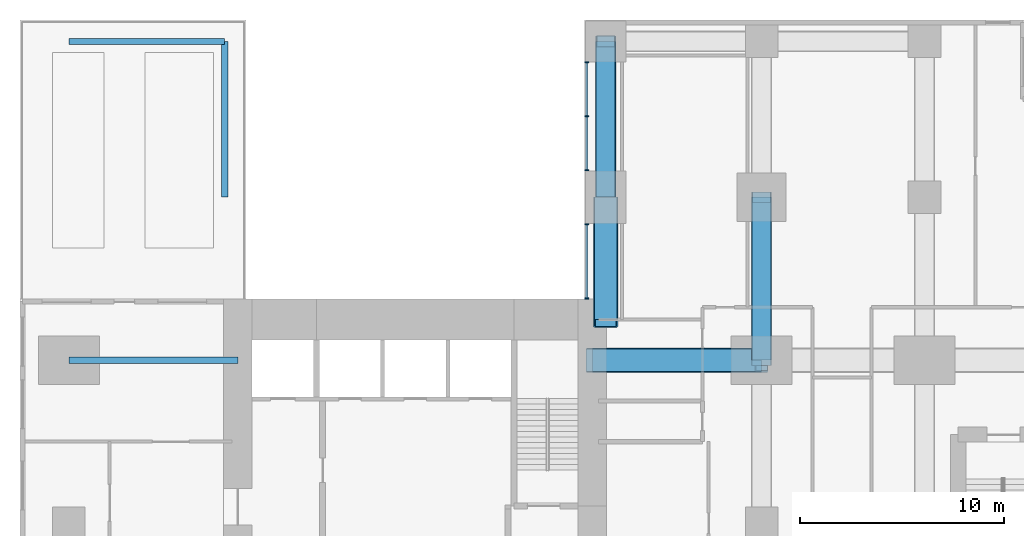
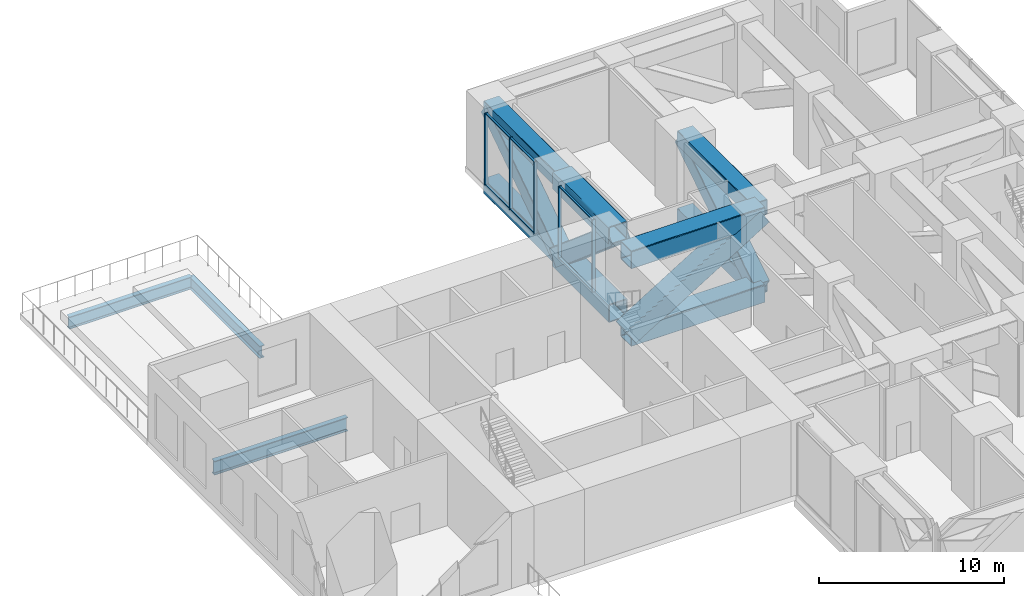
# One storey, part 4 of 10: 23 members, 3 beams, 2 elements without a shape of their own.
"""IFC4 building model written with IfcOpenShell, lengths in metres."""

from ifc_helpers import new_model, si_unit, direction, frame, origin, origin_2d, place, context, subcontext, project, spatial, rectangle, hollow_rectangle, i_section, extrude, material, layer, layer_set, material_profile, profile_set, type_object, element, aggregate, save


model = new_model("IFC4")

# Units and contexts
model_context = context("Model", 3, precision=1e-05, world=origin(), true_north=direction((0.0, 1.0)))
body_context = subcontext(model_context, "Body", "Model", "MODEL_VIEW")
ifc_project = project(units=[si_unit("LENGTHUNIT", "METRE"), si_unit("AREAUNIT", "SQUARE_METRE"), si_unit("VOLUMEUNIT", "CUBIC_METRE"), si_unit("PLANEANGLEUNIT", "RADIAN"), si_unit("MASSUNIT", "GRAM", prefix="KILO")], contexts=[model_context])

# Site, building, storey
site_placement = place(None, origin())
site = spatial("IfcSite", under=ifc_project, at=site_placement, CompositionType="ELEMENT")
building_placement = place(site_placement, origin())
building = spatial("IfcBuilding", under=site, at=building_placement, Name="Cleftline Residences", CompositionType="ELEMENT")
storey_placement = place(building_placement, frame((0.0, 0.0, 225.39990234375)))
storey = spatial("IfcBuildingStorey", under=building, at=storey_placement, Name="L59", CompositionType="ELEMENT", Elevation=225.39990234375)

# Beams
ifc_material_1 = material(Name="Steel S355", Category="steel")
ifc_material_profile_1 = material_profile(ifc_material_1, i_section(OverallWidth=0.300048828125, OverallDepth=0.800048828125, WebThickness=0.017578125, FlangeThickness=0.032958984375, FilletRadius=0.030029296875, at=origin_2d()))
ifc_profile_set_1 = profile_set([ifc_material_profile_1], Name="Steel S355")
beam_type_1 = type_object("IfcBeamType", Name="BEAM HEB 800", PredefinedType="BEAM", material=ifc_profile_set_1)
for number, where, z_axis, x_axis, name in (
    (1, (16.0, 47.64990234375, -0.75), (1.0, 0.0, 0.0), (0.0, 1.0, 0.0), "Edge beam"),
    (2, (23.64990234375, 47.64990234375, -0.75), (0.0, -1.0, 0.0), (1.0, 0.0, 0.0), "Edge beam"),
):
    element("IfcBeam", number, at=place(storey_placement, frame(where, z_axis=z_axis, x_axis=x_axis)), inside=storey, type_object=beam_type_1, Name=name, PredefinedType="BEAM", context=body_context, shape_type="SweptSolid", body=[
        extrude(i_section(OverallWidth=0.300048828125, OverallDepth=0.800048828125, WebThickness=0.017578125, FlangeThickness=0.032958984375, FilletRadius=0.030029296875, at=origin_2d()), origin(), (0.0, 0.0, 1.0), 7.64990234375),
    ])
ifc_material_2 = material(Name="Steel S355", Category="steel")
ifc_material_profile_2 = material_profile(ifc_material_2, i_section(OverallWidth=0.302001953125, OverallDepth=0.909912109375, WebThickness=0.02099609375, FlangeThickness=0.0400390625, FilletRadius=0.030029296875, at=origin_2d()))
ifc_profile_set_2 = profile_set([ifc_material_profile_2], Name="Steel S355")
beam_type_2 = type_object("IfcBeamType", Name="BEAM HEM 900", PredefinedType="BEAM", material=ifc_profile_set_2)
beam_placement = place(storey_placement, frame((16.0, 32.0, -0.804931640625), z_axis=(1.0, 0.0, 0.0), x_axis=(0.0, 1.0, 0.0)))
element("IfcBeam", 3, at=beam_placement, inside=storey, type_object=beam_type_2, Name="Band beam", PredefinedType="BEAM", context=body_context, shape_type="SweptSolid", body=[
    extrude(i_section(OverallWidth=0.302001953125, OverallDepth=0.909912109375, WebThickness=0.02099609375, FlangeThickness=0.0400390625, FilletRadius=0.030029296875, at=origin_2d()), origin(), (0.0, 0.0, 1.0), 8.300048828125),
])

# Members
ifc_material_3 = material(Name="Steel S355", Category="steel")
ifc_material_profile_3 = material_profile(ifc_material_3, hollow_rectangle(XDim=1.0, YDim=1.0, WallThickness=0.0400390625, InnerFilletRadius=0.0400390625, OuterFilletRadius=0.06005859375, at=origin_2d()))
ifc_profile_set_3 = profile_set([ifc_material_profile_3], Name="Steel S355")
member_type_1 = type_object("IfcMemberType", Name="BRACE BOX 1000X1000X40", PredefinedType="BRACE", material=ifc_profile_set_3)
member_1_placement = place(storey_placement, frame((42.35009765625, 40.0, -0.849853515625), z_axis=(0.0, 0.832054379602, 0.55469406828), x_axis=(0.0, -0.55469406828, 0.832054379602)))
element("IfcMember", 4, at=member_1_placement, inside=storey, type_object=member_type_1, Name="Belt truss diagonal", PredefinedType="BRACE", context=body_context, shape_type="SweptSolid", body=[
    extrude(hollow_rectangle(XDim=1.0, YDim=1.0, WallThickness=0.0400390625, InnerFilletRadius=0.0400390625, OuterFilletRadius=0.06005859375, at=origin_2d()), origin(), (0.0, 0.0, 1.0), 9.194091796875),
])
member_2_placement = place(storey_placement, frame((50.0, 32.0, -0.849853515625), z_axis=(0.0, 0.843234196711, 0.537546360324), x_axis=(0.0, -0.537546360324, 0.843234196711)))
element("IfcMember", 5, at=member_2_placement, inside=storey, type_object=member_type_1, Name="Belt truss diagonal", PredefinedType="BRACE", context=body_context, shape_type="SweptSolid", body=[
    extrude(hollow_rectangle(XDim=1.0, YDim=1.0, WallThickness=0.0400390625, InnerFilletRadius=0.0400390625, OuterFilletRadius=0.06005859375, at=origin_2d()), origin(), (0.0, 0.0, 1.0), 9.4873046875),
])
ifc_material_4 = material(Name="Steel S355", Category="steel")
ifc_material_profile_4 = material_profile(ifc_material_4, hollow_rectangle(XDim=1.199951171875, YDim=1.199951171875, WallThickness=0.06005859375, InnerFilletRadius=0.06005859375, OuterFilletRadius=0.090087890625, at=origin_2d()))
ifc_profile_set_4 = profile_set([ifc_material_profile_4], Name="Steel S355")
member_type_2 = type_object("IfcMemberType", Name="BRACE BOX 1200X1200X60", PredefinedType="BRACE", material=ifc_profile_set_4)
member_3_placement = place(storey_placement, frame((41.699951171875, 32.0, -0.949951171875), z_axis=(0.852007479238, 0.0, 0.523529612651), x_axis=(-0.523529612651, 0.0, 0.852007479238)))
element("IfcMember", 6, at=member_3_placement, inside=storey, type_object=member_type_2, Name="Outrigger truss diagonal", PredefinedType="BRACE", context=body_context, shape_type="SweptSolid", body=[
    extrude(hollow_rectangle(XDim=1.199951171875, YDim=1.199951171875, WallThickness=0.06005859375, InnerFilletRadius=0.06005859375, OuterFilletRadius=0.090087890625, at=origin_2d()), origin(), (0.0, 0.0, 1.0), 9.74169921875),
])
member_4_placement = place(storey_placement, frame((42.35009765625, 40.0, -0.949951171875), z_axis=(0.0, -0.761933198092, 0.647655619635), x_axis=(0.0, 0.647655619635, 0.761933198092)))
element("IfcMember", 7, at=member_4_placement, inside=storey, type_object=member_type_2, Name="Outrigger truss diagonal", PredefinedType="BRACE", context=body_context, shape_type="SweptSolid", body=[
    extrude(hollow_rectangle(XDim=1.199951171875, YDim=1.199951171875, WallThickness=0.06005859375, InnerFilletRadius=0.06005859375, OuterFilletRadius=0.090087890625, at=origin_2d()), origin(), (0.0, 0.0, 1.0), 7.874755859375),
])
ifc_material_5 = material(Name="Steel S355", Category="steel")
ifc_material_profile_5 = material_profile(ifc_material_5, hollow_rectangle(XDim=1.0, YDim=1.0, WallThickness=0.0400390625, InnerFilletRadius=0.0400390625, OuterFilletRadius=0.06005859375, at=origin_2d()))
ifc_profile_set_5 = profile_set([ifc_material_profile_5], Name="Steel S355")
member_type_3 = type_object("IfcMemberType", Name="CHORD BOX 1000X1000X40", PredefinedType="CHORD", material=ifc_profile_set_5)
for number, where, z_axis, x_axis, name in (
    (8, (42.35009765625, 40.0, -0.849853515625), (0.0, 1.0, 0.0), (-1.0, 0.0, 0.0), "Belt truss bottom chord"),
    (9, (42.35009765625, 40.0, 4.25), (0.0, 1.0, 0.0), (-1.0, 0.0, 0.0), "Belt truss top chord"),
):
    element("IfcMember", number, at=place(storey_placement, frame(where, z_axis=z_axis, x_axis=x_axis)), inside=storey, type_object=member_type_3, Name=name, PredefinedType="CHORD", context=body_context, shape_type="SweptSolid", body=[
        extrude(hollow_rectangle(XDim=1.0, YDim=1.0, WallThickness=0.0400390625, InnerFilletRadius=0.0400390625, OuterFilletRadius=0.06005859375, at=origin_2d()), origin(), (0.0, 0.0, 1.0), 7.64990234375),
    ])
for number, where, z_axis, x_axis, name in (
    (10, (50.0, 32.0, -0.849853515625), (0.0, 1.0, 0.0), (-1.0, 0.0, 0.0), "Belt truss bottom chord"),
    (11, (50.0, 32.0, 4.25), (0.0, 1.0, 0.0), (-1.0, 0.0, 0.0), "Belt truss top chord"),
):
    element("IfcMember", number, at=place(storey_placement, frame(where, z_axis=z_axis, x_axis=x_axis)), inside=storey, type_object=member_type_3, Name=name, PredefinedType="CHORD", context=body_context, shape_type="SweptSolid", body=[
        extrude(hollow_rectangle(XDim=1.0, YDim=1.0, WallThickness=0.0400390625, InnerFilletRadius=0.0400390625, OuterFilletRadius=0.06005859375, at=origin_2d()), origin(), (0.0, 0.0, 1.0), 8.0),
    ])
ifc_material_6 = material(Name="Steel S355", Category="steel")
ifc_material_profile_6 = material_profile(ifc_material_6, hollow_rectangle(XDim=1.199951171875, YDim=1.199951171875, WallThickness=0.06005859375, InnerFilletRadius=0.06005859375, OuterFilletRadius=0.090087890625, at=origin_2d()))
ifc_profile_set_6 = profile_set([ifc_material_profile_6], Name="Steel S355")
member_type_4 = type_object("IfcMemberType", Name="CHORD BOX 1200X1200X60", PredefinedType="CHORD", material=ifc_profile_set_6)
for number, where, z_axis, x_axis, name in (
    (12, (41.699951171875, 32.0, -0.949951171875), (1.0, 0.0, 0.0), (0.0, 1.0, 0.0), "Outrigger truss bottom chord"),
    (13, (41.699951171875, 32.0, 4.150146484375), (1.0, 0.0, 0.0), (0.0, 1.0, 0.0), "Outrigger truss top chord"),
):
    element("IfcMember", number, at=place(storey_placement, frame(where, z_axis=z_axis, x_axis=x_axis)), inside=storey, type_object=member_type_4, Name=name, PredefinedType="CHORD", context=body_context, shape_type="SweptSolid", body=[
        extrude(hollow_rectangle(XDim=1.199951171875, YDim=1.199951171875, WallThickness=0.06005859375, InnerFilletRadius=0.06005859375, OuterFilletRadius=0.090087890625, at=origin_2d()), origin(), (0.0, 0.0, 1.0), 8.300048828125),
    ])
for number, where, z_axis, x_axis, name in (
    (14, (42.35009765625, 40.0, -0.949951171875), (0.0, -1.0, 0.0), (1.0, 0.0, 0.0), "Outrigger truss bottom chord"),
    (15, (42.35009765625, 40.0, 4.150146484375), (0.0, -1.0, 0.0), (1.0, 0.0, 0.0), "Outrigger truss top chord"),
):
    element("IfcMember", number, at=place(storey_placement, frame(where, z_axis=z_axis, x_axis=x_axis)), inside=storey, type_object=member_type_4, Name=name, PredefinedType="CHORD", context=body_context, shape_type="SweptSolid", body=[
        extrude(hollow_rectangle(XDim=1.199951171875, YDim=1.199951171875, WallThickness=0.06005859375, InnerFilletRadius=0.06005859375, OuterFilletRadius=0.090087890625, at=origin_2d()), origin(), (0.0, 0.0, 1.0), 6.0),
    ])

# Curtain wall, members
ifc_material_7 = material(Name="Aluminium framed curtain wall", Category="aluminium")
ifc_layer = layer(ifc_material_7, 0.199951171875)
ifc_layer_set = layer_set([ifc_layer], Name="CW1 CLEFT GLAZING")
curtain_wall_type = type_object("IfcCurtainWallType", Name="CW1 CLEFT GLAZING", PredefinedType="NOTDEFINED", material=ifc_layer_set)
curtain_wall_1_placement = place(storey_placement, origin())
curtain_wall_1 = element("IfcCurtainWall", 16, at=curtain_wall_1_placement, inside=storey, type_object=curtain_wall_type, Name="Curtain wall CW1", PredefinedType="NOTDEFINED")
ifc_material_8 = material(Name="Aluminium mullion", Category="aluminium")
ifc_material_profile_7 = material_profile(ifc_material_8, rectangle(XDim=0.199951171875, YDim=0.06005859375, at=origin_2d()))
ifc_profile_set_7 = profile_set([ifc_material_profile_7], Name="Aluminium mullion")
member_type_5 = type_object("IfcMemberType", Name="CW1 MULLION", PredefinedType="MULLION", material=ifc_profile_set_7)
member_5_placement = place(storey_placement, frame((41.425048828125, 46.6201171875, 0.0), z_axis=(0.0, 0.0, 1.0), x_axis=(1.0, 0.0, 0.0)))
member_5 = element("IfcMember", 17, at=member_5_placement, type_object=member_type_5, Name="CW1 mullion 1", PredefinedType="MULLION", context=body_context, shape_type="SweptSolid", body=[
    extrude(rectangle(XDim=0.199951171875, YDim=0.06005859375, at=origin_2d()), origin(), (0.0, 0.0, 1.0), 4.75),
])
member_6_placement = place(storey_placement, frame((41.425048828125, 43.97509765625, 0.0), z_axis=(0.0, 0.0, 1.0), x_axis=(1.0, 0.0, 0.0)))
member_6 = element("IfcMember", 18, at=member_6_placement, type_object=member_type_5, Name="CW1 mullion 2", PredefinedType="MULLION", context=body_context, shape_type="SweptSolid", body=[
    extrude(rectangle(XDim=0.199951171875, YDim=0.06005859375, at=origin_2d()), origin(), (0.0, 0.0, 1.0), 4.75),
])
member_7_placement = place(storey_placement, frame((41.425048828125, 41.330078125, 0.0), z_axis=(0.0, 0.0, 1.0), x_axis=(1.0, 0.0, 0.0)))
member_7 = element("IfcMember", 19, at=member_7_placement, type_object=member_type_5, Name="CW1 mullion 3", PredefinedType="MULLION", context=body_context, shape_type="SweptSolid", body=[
    extrude(rectangle(XDim=0.199951171875, YDim=0.06005859375, at=origin_2d()), origin(), (0.0, 0.0, 1.0), 4.75),
])

curtain_wall_2_placement = place(storey_placement, origin())
curtain_wall_2 = element("IfcCurtainWall", 20, at=curtain_wall_2_placement, inside=storey, type_object=curtain_wall_type, Name="Curtain wall CW1", PredefinedType="NOTDEFINED")
member_8_placement = place(storey_placement, frame((41.425048828125, 38.669921875, 0.0), z_axis=(0.0, 0.0, 1.0), x_axis=(1.0, 0.0, 0.0)))
member_8 = element("IfcMember", 21, at=member_8_placement, type_object=member_type_5, Name="CW1 mullion 1", PredefinedType="MULLION", context=body_context, shape_type="SweptSolid", body=[
    extrude(rectangle(XDim=0.199951171875, YDim=0.06005859375, at=origin_2d()), origin(), (0.0, 0.0, 1.0), 4.75),
])
member_9_placement = place(storey_placement, frame((41.425048828125, 35.030029296875, 0.0), z_axis=(0.0, 0.0, 1.0), x_axis=(1.0, 0.0, 0.0)))
member_9 = element("IfcMember", 22, at=member_9_placement, type_object=member_type_5, Name="CW1 mullion 2", PredefinedType="MULLION", context=body_context, shape_type="SweptSolid", body=[
    extrude(rectangle(XDim=0.199951171875, YDim=0.06005859375, at=origin_2d()), origin(), (0.0, 0.0, 1.0), 4.75),
])

# Member
ifc_material_9 = material(Name="Aluminium transom", Category="aluminium")
ifc_material_profile_8 = material_profile(ifc_material_9, rectangle(XDim=0.1201171875, YDim=0.06005859375, at=origin_2d()))
ifc_profile_set_8 = profile_set([ifc_material_profile_8], Name="Aluminium transom")
member_type_6 = type_object("IfcMemberType", Name="CW1 TRANSOM", PredefinedType="USERDEFINED", material=ifc_profile_set_8)
member_10_placement = place(storey_placement, frame((41.425048828125, 46.590087890625, 0.030029296875), z_axis=(0.0, -1.0, 0.0), x_axis=(1.0, 0.0, 0.0)))
member_10 = element("IfcMember", 23, at=member_10_placement, type_object=member_type_6, Name="CW1 transom 1.1", ObjectType="TRANSOM", PredefinedType="USERDEFINED", context=body_context, shape_type="SweptSolid", body=[
    extrude(rectangle(XDim=0.1201171875, YDim=0.06005859375, at=origin_2d()), origin(), (0.0, 0.0, 1.0), 2.585205078125),
])

member_11_placement = place(storey_placement, frame((41.425048828125, 46.590087890625, 4.72021484375), z_axis=(0.0, -1.0, 0.0), x_axis=(1.0, 0.0, 0.0)))
member_11 = element("IfcMember", 24, at=member_11_placement, type_object=member_type_6, Name="CW1 transom 1.2", ObjectType="TRANSOM", PredefinedType="USERDEFINED", context=body_context, shape_type="SweptSolid", body=[
    extrude(rectangle(XDim=0.1201171875, YDim=0.06005859375, at=origin_2d()), origin(), (0.0, 0.0, 1.0), 2.585205078125),
])

member_12_placement = place(storey_placement, frame((41.425048828125, 43.945068359375, 0.030029296875), z_axis=(0.0, -1.0, 0.0), x_axis=(1.0, 0.0, 0.0)))
member_12 = element("IfcMember", 25, at=member_12_placement, type_object=member_type_6, Name="CW1 transom 2.1", ObjectType="TRANSOM", PredefinedType="USERDEFINED", context=body_context, shape_type="SweptSolid", body=[
    extrude(rectangle(XDim=0.1201171875, YDim=0.06005859375, at=origin_2d()), origin(), (0.0, 0.0, 1.0), 2.5849609375),
])

member_13_placement = place(storey_placement, frame((41.425048828125, 43.945068359375, 4.72021484375), z_axis=(0.0, -1.0, 0.0), x_axis=(1.0, 0.0, 0.0)))
member_13 = element("IfcMember", 26, at=member_13_placement, type_object=member_type_6, Name="CW1 transom 2.2", ObjectType="TRANSOM", PredefinedType="USERDEFINED", context=body_context, shape_type="SweptSolid", body=[
    extrude(rectangle(XDim=0.1201171875, YDim=0.06005859375, at=origin_2d()), origin(), (0.0, 0.0, 1.0), 2.5849609375),
])

aggregate(curtain_wall_1, [member_5, member_6, member_7, member_10, member_11, member_12, member_13])

member_14_placement = place(storey_placement, frame((41.425048828125, 38.639892578125, 0.030029296875), z_axis=(0.0, -1.0, 0.0), x_axis=(1.0, 0.0, 0.0)))
member_14 = element("IfcMember", 27, at=member_14_placement, type_object=member_type_6, Name="CW1 transom 1.1", ObjectType="TRANSOM", PredefinedType="USERDEFINED", context=body_context, shape_type="SweptSolid", body=[
    extrude(rectangle(XDim=0.1201171875, YDim=0.06005859375, at=origin_2d()), origin(), (0.0, 0.0, 1.0), 3.579833984375),
])

member_15_placement = place(storey_placement, frame((41.425048828125, 38.639892578125, 4.72021484375), z_axis=(0.0, -1.0, 0.0), x_axis=(1.0, 0.0, 0.0)))
member_15 = element("IfcMember", 28, at=member_15_placement, type_object=member_type_6, Name="CW1 transom 1.2", ObjectType="TRANSOM", PredefinedType="USERDEFINED", context=body_context, shape_type="SweptSolid", body=[
    extrude(rectangle(XDim=0.1201171875, YDim=0.06005859375, at=origin_2d()), origin(), (0.0, 0.0, 1.0), 3.579833984375),
])

aggregate(curtain_wall_2, [member_8, member_9, member_14, member_15])

save(model, "model.ifc")
